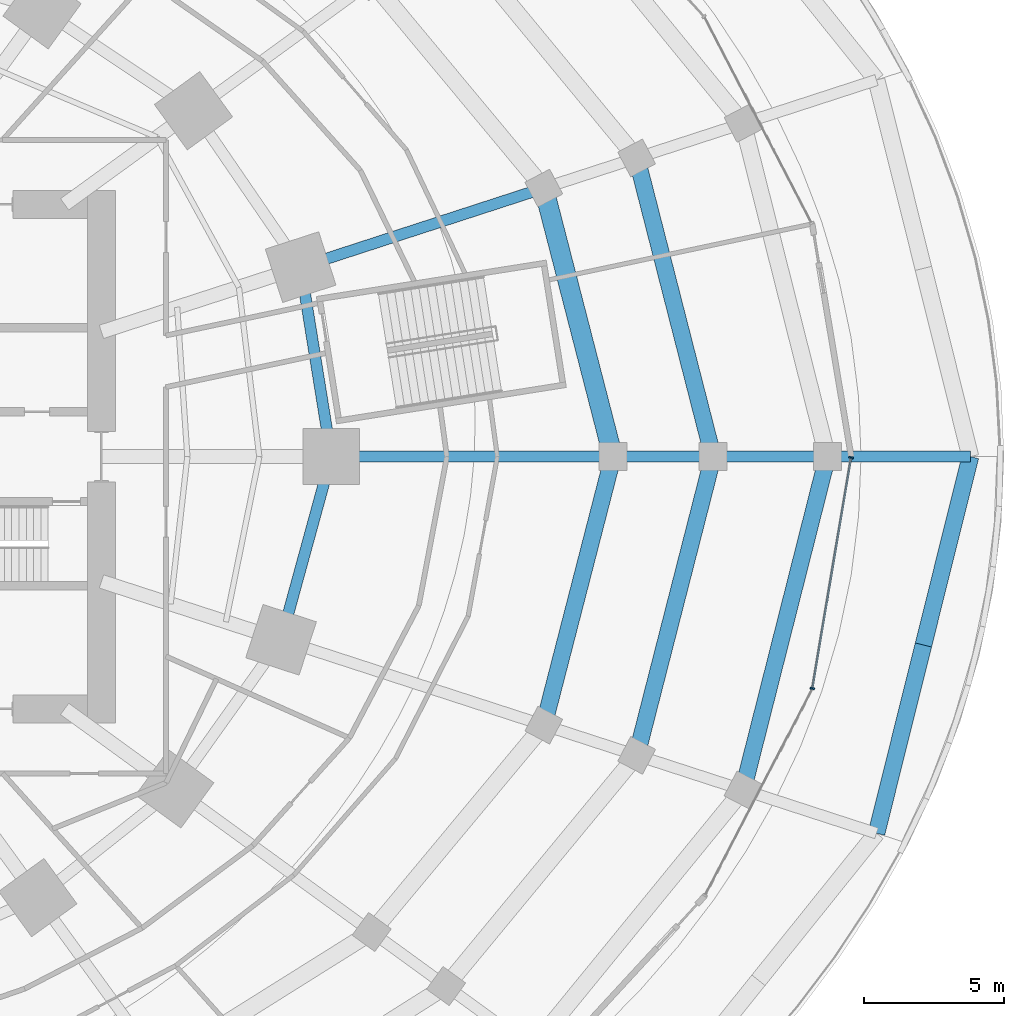
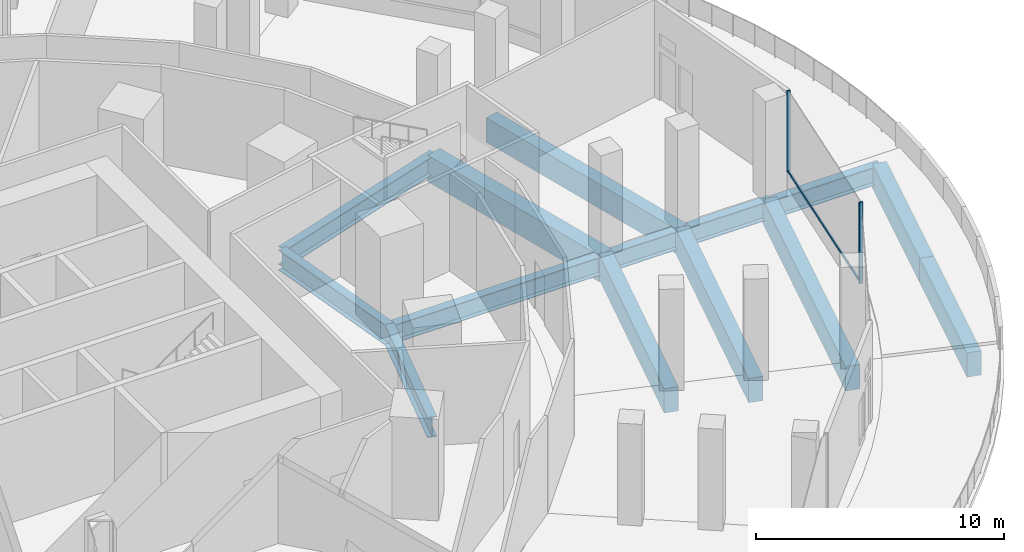
# One storey, part 13 of 31: 14 beams, 3 members, 1 element without a shape of its own.
"""IFC4 building model written with IfcOpenShell, lengths in metres."""

from ifc_helpers import new_model, si_unit, direction, frame, origin, origin_2d, place, context, subcontext, project, spatial, rectangle, i_section, extrude, material, material_profile, profile_set, type_object, element, aggregate, save


model = new_model("IFC4")

# Units and contexts
model_context = context("Model", 3, precision=1e-05, world=origin(), true_north=direction((0.0, 1.0)))
body_context = subcontext(model_context, "Body", "Model", "MODEL_VIEW")
ifc_project = project(units=[si_unit("LENGTHUNIT", "METRE"), si_unit("AREAUNIT", "SQUARE_METRE"), si_unit("VOLUMEUNIT", "CUBIC_METRE"), si_unit("PLANEANGLEUNIT", "RADIAN"), si_unit("MASSUNIT", "GRAM", prefix="KILO")], contexts=[model_context])

# Site, building, storey
site_placement = place(None, origin())
site = spatial("IfcSite", under=ifc_project, at=site_placement, CompositionType="ELEMENT")
building_placement = place(site_placement, origin())
building = spatial("IfcBuilding", under=site, at=building_placement, Name="Marramba Exchange Tower", CompositionType="ELEMENT")
storey_placement = place(building_placement, frame((0.0, 0.0, 5.60009765625)))
storey = spatial("IfcBuildingStorey", under=building, at=storey_placement, Name="L01", CompositionType="ELEMENT", Elevation=5.60009765625)

# Beams
ifc_material_1 = material(Name="Concrete N50", Category="concrete")
ifc_material_profile_1 = material_profile(ifc_material_1, rectangle(XDim=0.60009765625, YDim=1.199951171875, at=origin_2d()), Name="RC 600x1200")
ifc_profile_set_1 = profile_set([ifc_material_profile_1], Name="Concrete N50")
beam_type_1 = type_object("IfcBeamType", Name="Edge beam RC 600x1200 N50", PredefinedType="SPANDREL", material=ifc_profile_set_1)
beam_1_placement = place(storey_placement, frame((41.350830078125, -13.435791015625, -0.85009765625), z_axis=(0.24186351057, 0.970310281433, 0.0), x_axis=(-0.970310281433, 0.24186351057, 0.0)))
element("IfcBeam", 1, at=beam_1_placement, inside=storey, type_object=beam_type_1, Name="Edge beam L01 P0C20 half 1", PredefinedType="SPANDREL", context=body_context, shape_type="SweptSolid", body=[
    extrude(rectangle(XDim=0.60009765625, YDim=1.199951171875, at=origin_2d()), origin(), (0.0, 0.0, 1.0), 6.923583984375),
])
beam_2_placement = place(storey_placement, frame((43.025390625, -6.7177734375, -0.85009765625), z_axis=(0.241871786274, 0.97030821856, 0.0), x_axis=(-0.97030821856, 0.241871786274, 0.0)))
element("IfcBeam", 2, at=beam_2_placement, inside=storey, type_object=beam_type_1, Name="Edge beam L01 P0C20 half 2", PredefinedType="SPANDREL", context=body_context, shape_type="SweptSolid", body=[
    extrude(rectangle(XDim=0.60009765625, YDim=1.199951171875, at=origin_2d()), origin(), (0.0, 0.0, 1.0), 6.92333984375),
])
beam_3_placement = place(storey_placement, frame((36.5888671875, -11.888427734375, -0.800048828125), z_axis=(0.245536956623, 0.969387230642, 0.0), x_axis=(-0.969387230642, 0.245536956623, 0.0)))
element("IfcBeam", 3, at=beam_3_placement, inside=storey, type_object=beam_type_1, Name="Edge beam L01 P1C20", PredefinedType="SPANDREL", context=body_context, shape_type="SweptSolid", body=[
    extrude(rectangle(XDim=0.60009765625, YDim=1.199951171875, at=origin_2d()), origin(), (0.0, 0.0, 1.0), 12.263916015625),
])
for number, where, z_axis, x_axis, name in (
    (4, (35.52001953125, 0.0, -0.800048828125), (-0.24788024769, 0.968790680594, 0.0), (-0.968790680594, -0.24788024769, 0.0), "Edge beam L01 P2C01"),
    (5, (32.793701171875, -10.6552734375, -0.800048828125), (0.24788024769, 0.968790680594, 0.0), (-0.968790680594, 0.24788024769, 0.0), "Edge beam L01 P2C20"),
):
    element("IfcBeam", number, at=place(storey_placement, frame(where, z_axis=z_axis, x_axis=x_axis)), inside=storey, type_object=beam_type_1, Name=name, PredefinedType="SPANDREL", context=body_context, shape_type="SweptSolid", body=[
        extrude(rectangle(XDim=0.60009765625, YDim=1.199951171875, at=origin_2d()), origin(), (0.0, 0.0, 1.0), 10.99853515625),
    ])
beam_4_placement = place(storey_placement, frame((29.48193359375, -9.579345703125, -0.800048828125), z_axis=(0.249492097231, 0.968376834409, 0.0), x_axis=(-0.968376834409, 0.249492097231, 0.0)))
element("IfcBeam", 6, at=beam_4_placement, inside=storey, type_object=beam_type_1, Name="Edge beam L01 P3C20", PredefinedType="SPANDREL", context=body_context, shape_type="SweptSolid", body=[
    extrude(rectangle(XDim=0.60009765625, YDim=1.199951171875, at=origin_2d()), origin(), (0.0, 0.0, 1.0), 9.89208984375),
])
ifc_material_profile_2 = material_profile(ifc_material_1, rectangle(XDim=0.699951171875, YDim=1.300048828125, at=origin_2d()), Name="RC 700x1300")
ifc_profile_set_2 = profile_set([ifc_material_profile_2], Name="Concrete N50")
beam_type_2 = type_object("IfcBeamType", Name="Edge beam RC 700x1300 N50", PredefinedType="SPANDREL", material=ifc_profile_set_2)
beam_5_placement = place(storey_placement, frame((31.949951171875, 0.0, -0.85009765625), z_axis=(-0.249492097231, 0.968376834409, 0.0), x_axis=(-0.968376834409, -0.249492097231, 0.0)))
element("IfcBeam", 7, at=beam_5_placement, inside=storey, type_object=beam_type_2, Name="Edge beam L01 P3C01", PredefinedType="SPANDREL", context=body_context, shape_type="SweptSolid", body=[
    extrude(rectangle(XDim=0.699951171875, YDim=1.300048828125, at=origin_2d()), origin(), (0.0, 0.0, 1.0), 9.89208984375),
])

# Curtain wall, members
ifc_material_2 = material(Name="Aluminium framing, bronze anodised", Category="aluminium")
curtain_wall_type = type_object("IfcCurtainWallType", Name="Podium ribbon curtain wall", PredefinedType="USERDEFINED", material=ifc_material_2)
curtain_wall_placement = place(storey_placement, origin())
curtain_wall = element("IfcCurtainWall", 8, at=curtain_wall_placement, inside=storey, type_object=curtain_wall_type, Name="Curtain wall CW2 L01 F29-F30", ObjectType="RIBBON CURTAIN WALL", PredefinedType="USERDEFINED")
ifc_material_3 = material(Name="Aluminium mullion, bronze anodised", Category="aluminium")
ifc_material_profile_3 = material_profile(ifc_material_3, rectangle(XDim=0.159912109375, YDim=0.06005859375, at=origin_2d()), Name="CW2 mullion 60x160")
ifc_profile_set_3 = profile_set([ifc_material_profile_3], Name="Aluminium mullion, bronze anodised")
member_type_1 = type_object("IfcMemberType", Name="Podium ribbon curtain wall mullion", PredefinedType="MULLION", material=ifc_profile_set_3)
member_1_placement = place(storey_placement, frame((39.060791015625, -8.27197265625, 0.7998046875), z_axis=(0.0, 0.0, 1.0), x_axis=(-0.986188251406, 0.165628297068, 0.0)))
member_1 = element("IfcMember", 9, at=member_1_placement, type_object=member_type_1, Name="CW2 mullion 1", PredefinedType="MULLION", context=body_context, shape_type="SweptSolid", body=[
    extrude(rectangle(XDim=0.159912109375, YDim=0.06005859375, at=origin_2d()), origin(), (0.0, 0.0, 1.0), 4.0),
])
member_2_placement = place(storey_placement, frame((40.445068359375, -0.029541015625, 0.7998046875), z_axis=(0.0, 0.0, 1.0), x_axis=(-0.986188251406, 0.165628297068, 0.0)))
member_2 = element("IfcMember", 10, at=member_2_placement, type_object=member_type_1, Name="CW2 mullion 2", PredefinedType="MULLION", context=body_context, shape_type="SweptSolid", body=[
    extrude(rectangle(XDim=0.159912109375, YDim=0.06005859375, at=origin_2d()), origin(), (0.0, 0.0, 1.0), 4.0),
])
ifc_material_4 = material(Name="Aluminium transom, bronze anodised", Category="aluminium")
ifc_material_profile_4 = material_profile(ifc_material_4, rectangle(XDim=0.06005859375, YDim=0.1201171875, at=origin_2d()), Name="CW2 transom 60x120")
ifc_profile_set_4 = profile_set([ifc_material_profile_4], Name="Aluminium transom, bronze anodised")
member_type_2 = type_object("IfcMemberType", Name="Podium ribbon curtain wall transom", PredefinedType="USERDEFINED", material=ifc_profile_set_4)
member_3_placement = place(storey_placement, frame((39.065673828125, -8.242431640625, 0.829833984375), z_axis=(0.165615494785, 0.986190401437, 0.0), x_axis=(-0.986190401437, 0.165615494785, 0.0)))
member_3 = element("IfcMember", 11, at=member_3_placement, type_object=member_type_2, Name="CW2 sill transom", ObjectType="TRANSOM", PredefinedType="USERDEFINED", context=body_context, shape_type="SweptSolid", body=[
    extrude(rectangle(XDim=0.06005859375, YDim=0.1201171875, at=origin_2d()), origin(), (0.0, 0.0, 1.0), 8.2978515625),
])
aggregate(curtain_wall, [member_1, member_2, member_3])

# Beams
ifc_material_5 = material(Name="Steel AS/NZS 3679.2 grade 300", Category="steel")
ifc_material_profile_5 = material_profile(ifc_material_5, i_section(OverallWidth=0.39990234375, OverallDepth=0.89990234375, WebThickness=0.01611328125, FlangeThickness=0.031982421875, at=origin_2d()), Name="900WB282")
ifc_profile_set_5 = profile_set([ifc_material_profile_5], Name="Steel AS/NZS 3679.2 grade 300")
beam_type_3 = type_object("IfcBeamType", Name="Radial girder 900WB282", PredefinedType="BEAM", material=ifc_profile_set_5)
beam_6_placement = place(storey_placement, frame((44.699951171875, 0.0, -0.7001953125), z_axis=(-1.0, 0.0, 0.0), x_axis=(0.0, -1.0, 0.0)))
element("IfcBeam", 12, at=beam_6_placement, inside=storey, type_object=beam_type_3, Name="Radial girder L01 P0C01", PredefinedType="BEAM", context=body_context, shape_type="SweptSolid", body=[
    extrude(i_section(OverallWidth=0.39990234375, OverallDepth=0.89990234375, WebThickness=0.01611328125, FlangeThickness=0.031982421875, at=origin_2d()), origin(), (0.0, 0.0, 1.0), 5.099853515625),
])
beam_7_placement = place(storey_placement, frame((39.60009765625, 0.0, -0.650146484375), z_axis=(-1.0, 0.0, 0.0), x_axis=(0.0, -1.0, 0.0)))
element("IfcBeam", 13, at=beam_7_placement, inside=storey, type_object=beam_type_3, Name="Radial girder L01 P1C01", PredefinedType="BEAM", context=body_context, shape_type="SweptSolid", body=[
    extrude(i_section(OverallWidth=0.39990234375, OverallDepth=0.89990234375, WebThickness=0.01611328125, FlangeThickness=0.031982421875, at=origin_2d()), origin(), (0.0, 0.0, 1.0), 4.080078125),
])
beam_8_placement = place(storey_placement, frame((35.52001953125, 0.0, -0.650146484375), z_axis=(-1.0, 0.0, 0.0), x_axis=(0.0, -1.0, 0.0)))
element("IfcBeam", 14, at=beam_8_placement, inside=storey, type_object=beam_type_3, Name="Radial girder L01 P2C01", PredefinedType="BEAM", context=body_context, shape_type="SweptSolid", body=[
    extrude(i_section(OverallWidth=0.39990234375, OverallDepth=0.89990234375, WebThickness=0.01611328125, FlangeThickness=0.031982421875, at=origin_2d()), origin(), (0.0, 0.0, 1.0), 3.570068359375),
])
beam_9_placement = place(storey_placement, frame((31.949951171875, 0.0, -0.650146484375), z_axis=(-1.0, 0.0, 0.0), x_axis=(0.0, -1.0, 0.0)))
element("IfcBeam", 15, at=beam_9_placement, inside=storey, type_object=beam_type_3, Name="Radial girder L01 P3C01", PredefinedType="BEAM", context=body_context, shape_type="SweptSolid", body=[
    extrude(i_section(OverallWidth=0.39990234375, OverallDepth=0.89990234375, WebThickness=0.01611328125, FlangeThickness=0.031982421875, at=origin_2d()), origin(), (0.0, 0.0, 1.0), 10.050048828125),
])
beam_10_placement = place(storey_placement, frame((29.48193359375, 9.579345703125, -0.650146484375), z_axis=(-0.95105196918, -0.309030988606, 0.0), x_axis=(0.309030988606, -0.95105196918, 0.0)))
element("IfcBeam", 16, at=beam_10_placement, inside=storey, type_object=beam_type_3, Name="Radial girder L01 P3C02", PredefinedType="BEAM", context=body_context, shape_type="SweptSolid", body=[
    extrude(i_section(OverallWidth=0.39990234375, OverallDepth=0.89990234375, WebThickness=0.01611328125, FlangeThickness=0.031982421875, at=origin_2d()), origin(), (0.0, 0.0, 1.0), 9.119873046875),
])
ifc_material_profile_6 = material_profile(ifc_material_5, i_section(OverallWidth=0.39990234375, OverallDepth=1.0, WebThickness=0.01611328125, FlangeThickness=0.031982421875, at=origin_2d()), Name="1000WB322")
ifc_profile_set_6 = profile_set([ifc_material_profile_6], Name="Steel AS/NZS 3679.2 grade 300")
beam_type_4 = type_object("IfcBeamType", Name="Ring beam 1000WB322", PredefinedType="SPANDREL", material=ifc_profile_set_6)
beam_11_placement = place(storey_placement, frame((21.89990234375, 0.0, -0.7001953125), z_axis=(-0.159384865399, 0.987216523708, 0.0), x_axis=(-0.987216523708, -0.159384865399, 0.0)))
element("IfcBeam", 17, at=beam_11_placement, inside=storey, type_object=beam_type_4, Name="Ring beam L01 TC01-TC02", PredefinedType="SPANDREL", context=body_context, shape_type="SweptSolid", body=[
    extrude(i_section(OverallWidth=0.39990234375, OverallDepth=1.0, WebThickness=0.01611328125, FlangeThickness=0.031982421875, at=origin_2d()), origin(), (0.0, 0.0, 1.0), 6.8486328125),
])
beam_12_placement = place(storey_placement, frame((20.109375, -6.533935546875, -0.7001953125), z_axis=(0.264291166956, 0.964442937176, 0.0), x_axis=(-0.964442937176, 0.264291166956, 0.0)))
element("IfcBeam", 18, at=beam_12_placement, inside=storey, type_object=beam_type_4, Name="Ring beam L01 TC20-TC01", PredefinedType="SPANDREL", context=body_context, shape_type="SweptSolid", body=[
    extrude(i_section(OverallWidth=0.39990234375, OverallDepth=1.0, WebThickness=0.01611328125, FlangeThickness=0.031982421875, at=origin_2d()), origin(), (0.0, 0.0, 1.0), 6.77490234375),
])

save(model, "model.ifc")
